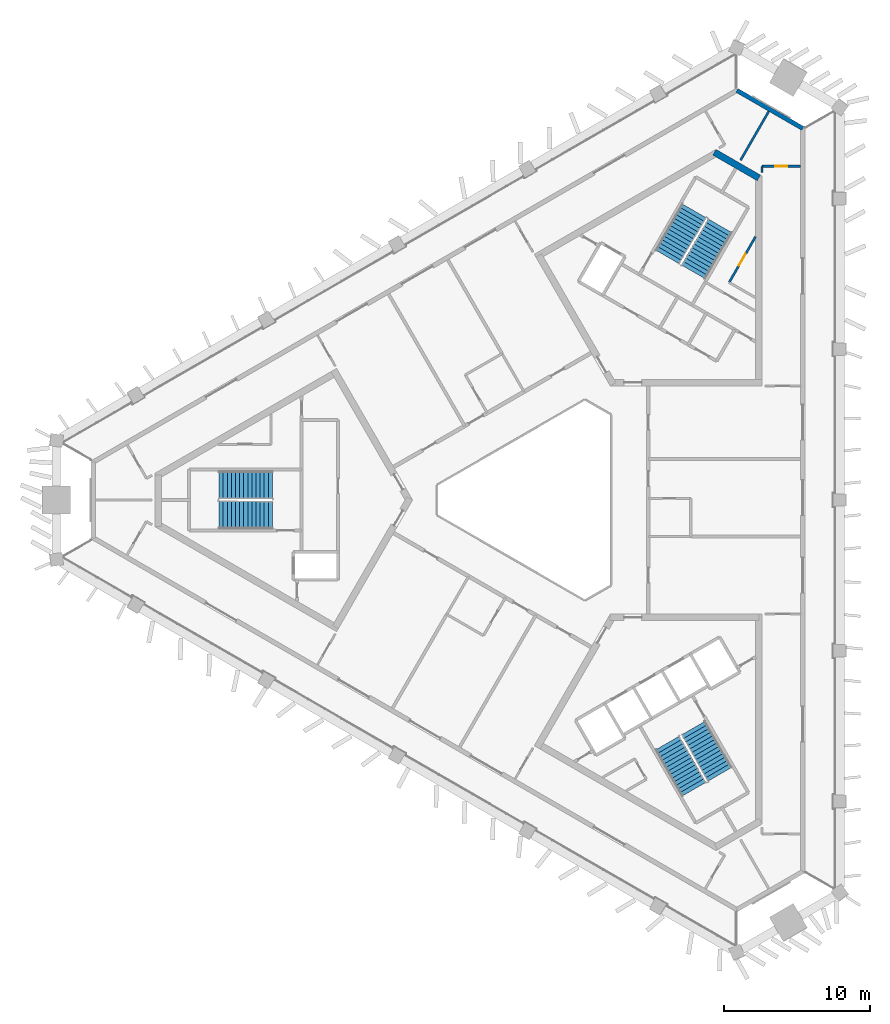
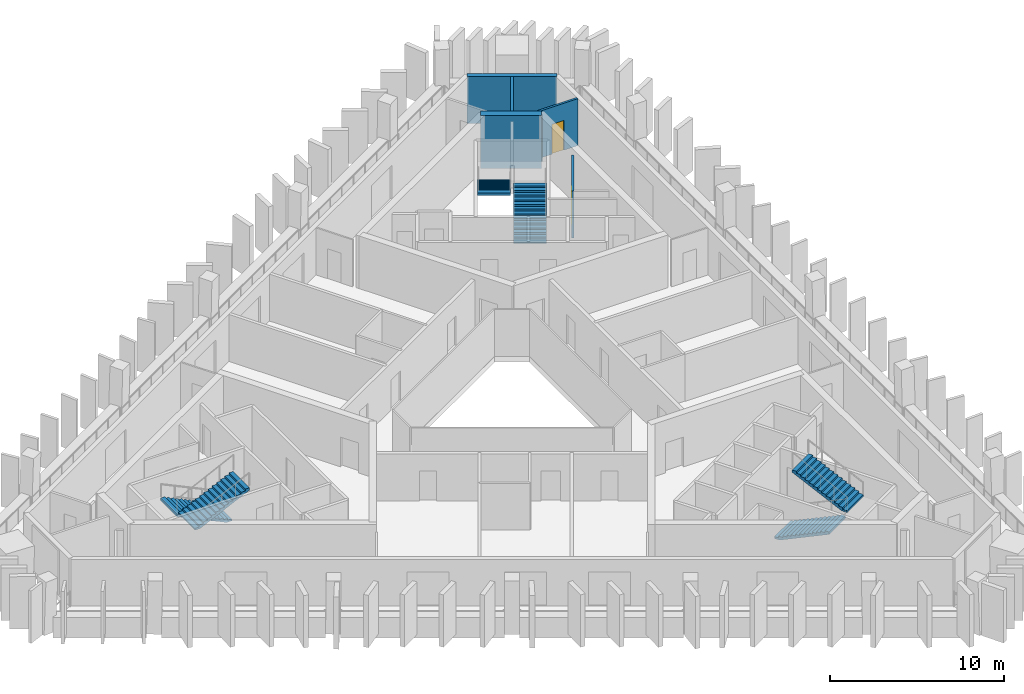
# One storey, part 6 of 9: 6 stair flights, 6 walls, 2 doors, 2 openings, 3 elements without a shape of their own.
"""IFC4 building model written with IfcOpenShell, lengths in metres."""

from ifc_helpers import new_model, si_unit, direction, frame, frame_2d, origin, place, context, subcontext, project, spatial, polyline, rectangle, outline, extrude, material, layer, layer_set, type_object, element, fill, aggregate, save


model = new_model("IFC4")

# Units and contexts
model_context = context("Model", 3, precision=1e-05, world=origin(), true_north=direction((0.0, 1.0)))
body_context = subcontext(model_context, "Body", "Model", "MODEL_VIEW")
ifc_project = project(units=[si_unit("LENGTHUNIT", "METRE"), si_unit("AREAUNIT", "SQUARE_METRE"), si_unit("VOLUMEUNIT", "CUBIC_METRE"), si_unit("PLANEANGLEUNIT", "RADIAN"), si_unit("MASSUNIT", "GRAM", prefix="KILO")], contexts=[model_context])

# Site, building, storey
site_placement = place(None, origin())
site = spatial("IfcSite", under=ifc_project, at=site_placement, CompositionType="ELEMENT")
building_placement = place(site_placement, origin())
building = spatial("IfcBuilding", under=site, at=building_placement, Name="Jabali Bay Hotel Tower and Convention Centre", CompositionType="ELEMENT")
storey_placement = place(building_placement, frame((0.0, 0.0, 220.60009765625)))
storey = spatial("IfcBuildingStorey", under=building, at=storey_placement, Name="L54", CompositionType="ELEMENT", Elevation=220.60009765625)

# Wall, opening, door
ifc_material_1 = material(Name="Fire-rated board partition")
ifc_layer_1 = layer(ifc_material_1, 0.14990234375)
ifc_layer_set_1 = layer_set([ifc_layer_1], Name="Fire-rated board partition")
wall_type_1 = type_object("IfcWallType", Name="Core room partition 150", PredefinedType="PARTITIONING", material=ifc_layer_set_1)
wall_1_placement = place(storey_placement, frame((87.62109375, 94.8603515625, 0.0), z_axis=(0.0, 0.0, 1.0), x_axis=(0.499993116331, 0.866029378036, 0.0)))
wall_1 = element("IfcWall", 1, at=wall_1_placement, inside=storey, type_object=wall_type_1, Name="Core wall 1.1 L54", PredefinedType="PARTITIONING", context=body_context, shape_type="SweptSolid", body=[
    extrude(rectangle(XDim=3.61767578125, YDim=0.14990234375, at=frame_2d((1.808837890625, 0.0))), origin(), (0.0, 0.0, 1.0), 3.2998046875),
])
opening_1_placement = place(wall_1_placement, frame((1.33154296875, 0.0, 0.0)))
opening_1 = element("IfcOpeningElement", 2, at=opening_1_placement, cuts=wall_1, Name="Opening D1180", PredefinedType="OPENING", context=body_context, shape_type="SweptSolid", body=[
    extrude(rectangle(XDim=0.89990234375, YDim=2.10009765625, at=frame_2d((0.449951171875, 1.050048828125))), frame((0.0, 0.08544921875, 0.0), z_axis=(0.0, -1.0, 0.0), x_axis=(1.0, 0.0, 0.0)), (0.0, 0.0, 1.0), 0.1708984375),
])
ifc_material_2 = material(Name="Fire-rated steel door", Category="steel")
door_type_1 = type_object("IfcDoorType", Name="Core room door 900 x 2100", OperationType="NOTDEFINED", PredefinedType="NOTDEFINED", material=ifc_material_2)
door_1_placement = place(opening_1_placement, origin())
door_1 = element("IfcDoor", 3, at=door_1_placement, inside=storey, type_object=door_type_1, Name="Core room door D1180", OperationType="SINGLE_SWING_LEFT", OverallHeight=2.10009765625, OverallWidth=0.89990234375, PredefinedType="NOTDEFINED", context=body_context, shape_type="SweptSolid", body=[
    extrude(rectangle(XDim=0.89990234375, YDim=2.10009765625, at=frame_2d((0.449951171875, 1.050048828125))), frame((0.0, 0.02490234375, 0.0), z_axis=(0.0, -1.0, 0.0), x_axis=(1.0, 0.0, 0.0)), (0.0, 0.0, 1.0), 0.050048828125),
])
fill(opening_1, door_1)

# Walls
ifc_material_3 = material(Name="Concrete C60", Category="concrete")
ifc_layer_2 = layer(ifc_material_3, 0.449951171875)
ifc_layer_set_2 = layer_set([ifc_layer_2], Name="Concrete C60")
wall_type_2 = type_object("IfcWallType", Name="Core wall 450", PredefinedType="SHEAR", material=ifc_layer_set_2)
wall_2_placement = place(storey_placement, frame((89.655029296875, 101.997802734375, 0.0), z_axis=(0.0, 0.0, 1.0), x_axis=(-0.866042179588, 0.49997094233, 0.0)))
element("IfcWall", 4, at=wall_2_placement, inside=storey, type_object=wall_type_2, Name="Core wall 2.3 L54", PredefinedType="SHEAR", context=body_context, shape_type="SweptSolid", body=[
    extrude(rectangle(XDim=3.515380859375, YDim=0.449951171875, at=frame_2d((1.7578125, 0.0))), origin(), (0.0, 0.0, 1.0), 3.699951171875),
])
ifc_material_4 = material(Name="Concrete C40", Category="concrete")
ifc_layer_3 = layer(ifc_material_4, 0.300048828125)
ifc_layer_set_3 = layer_set([ifc_layer_3], Name="Concrete C40")
wall_type_3 = type_object("IfcWallType", Name="External wall 300", PredefinedType="SOLIDWALL", material=ifc_layer_set_3)
wall_3_placement = place(storey_placement, frame((88.154541015625, 107.9775390625, 0.0), z_axis=(0.0, 0.0, 1.0), x_axis=(0.866044673852, -0.499966621779, 0.0)))
element("IfcWall", 5, at=wall_3_placement, inside=storey, type_object=wall_type_3, Name="External wall north-east chamfer L54", PredefinedType="SOLIDWALL", context=body_context, shape_type="SweptSolid", body=[
    extrude(rectangle(XDim=5.193115234375, YDim=0.300048828125, at=frame_2d((2.5966796875, 0.0))), origin(), (0.0, 0.0, 1.0), 3.2998046875),
])

# Wall, opening, door
ifc_material_5 = material(Name="Plasterboard on steel stud", Category="steel")
ifc_layer_4 = layer(ifc_material_5, 0.14990234375)
ifc_layer_set_4 = layer_set([ifc_layer_4], Name="Plasterboard on steel stud")
wall_type_4 = type_object("IfcWallType", Name="Partition 150 wet", PredefinedType="PARTITIONING", material=ifc_layer_set_4)
wall_4_placement = place(storey_placement, frame((92.5029296875, 102.794189453125, 0.0), z_axis=(0.0, 0.0, 1.0), x_axis=(-1.0, 0.0, 0.0)))
wall_4 = element("IfcWall", 6, at=wall_4_placement, inside=storey, type_object=wall_type_4, Name="Partition P03 L54 011", PredefinedType="PARTITIONING", context=body_context, shape_type="SweptSolid", body=[
    extrude(rectangle(XDim=2.641845703125, YDim=0.14990234375, at=frame_2d((1.32080078125, 0.0))), origin(), (0.0, 0.0, 1.0), 3.2998046875),
])
opening_2_placement = place(wall_4_placement, frame((0.9208984375, 0.0, 0.0)))
opening_2 = element("IfcOpeningElement", 7, at=opening_2_placement, cuts=wall_4, Name="Opening 5408", PredefinedType="OPENING", context=body_context, shape_type="SweptSolid", body=[
    extrude(rectangle(XDim=0.800048828125, YDim=2.10009765625, at=frame_2d((0.39990234375, 1.050048828125))), frame((0.0, 0.08544921875, 0.0), z_axis=(0.0, -1.0, 0.0), x_axis=(1.0, 0.0, 0.0)), (0.0, 0.0, 1.0), 0.1708984375),
])
ifc_material_6 = material(Name="Timber", Category="wood")
door_type_2 = type_object("IfcDoorType", Name="En-suite door 800 x 2100", OperationType="NOTDEFINED", PredefinedType="NOTDEFINED", material=ifc_material_6)
door_2_placement = place(opening_2_placement, origin())
door_2 = element("IfcDoor", 8, at=door_2_placement, inside=storey, type_object=door_type_2, Name="Door 5408", OperationType="SINGLE_SWING_LEFT", OverallHeight=2.10009765625, OverallWidth=0.800048828125, PredefinedType="NOTDEFINED", context=body_context, shape_type="SweptSolid", body=[
    extrude(rectangle(XDim=0.800048828125, YDim=2.10009765625, at=frame_2d((0.39990234375, 1.050048828125))), frame((0.0, 0.02490234375, 0.0), z_axis=(0.0, -1.0, 0.0), x_axis=(1.0, 0.0, 0.0)), (0.0, 0.0, 1.0), 0.050048828125),
])
fill(opening_2, door_2)

# Walls
wall_5_placement = place(storey_placement, frame((89.861083984375, 102.794189453125, 0.0), z_axis=(0.0, 0.0, 1.0), x_axis=(0.0, -1.0, 0.0)))
element("IfcWall", 9, at=wall_5_placement, inside=storey, type_object=wall_type_4, Name="Partition P03 L54 012", PredefinedType="PARTITIONING", context=body_context, shape_type="SweptSolid", body=[
    extrude(rectangle(XDim=0.42578125, YDim=0.14990234375, at=frame_2d((0.212890625, 0.0))), origin(), (0.0, 0.0, 1.0), 3.2998046875),
])
wall_6_placement = place(storey_placement, frame((90.32958984375, 106.5498046875, 0.0), z_axis=(0.0, 0.0, 1.0), x_axis=(-0.499980071345, -0.866036909293, 0.0)))
element("IfcWall", 10, at=wall_6_placement, inside=storey, type_object=wall_type_4, Name="Partition P03 L54 013", PredefinedType="PARTITIONING", context=body_context, shape_type="SweptSolid", body=[
    extrude(rectangle(XDim=3.855712890625, YDim=0.14990234375, at=frame_2d((1.927734375, 0.0))), origin(), (0.0, 0.0, 1.0), 3.2998046875),
])

# Stair, stair flights
stair_type = type_object("IfcStairType", Name="Exit stair 1900", PredefinedType="HALF_TURN_STAIR", material=ifc_material_4)
stair_1_placement = place(storey_placement, origin())
stair_1 = element("IfcStair", 11, at=stair_1_placement, inside=storey, type_object=stair_type, Name="L54 Exit Stair 1", PredefinedType="HALF_TURN_STAIR")
stair_flight_type = type_object("IfcStairFlightType", Name="Stair flight concrete 150", PredefinedType="STRAIGHT", material=ifc_material_4)
stair_flight_1_placement = place(storey_placement, frame((56.419921875, 81.02490234375, 0.0), z_axis=(0.0, 0.0, 1.0), x_axis=(-1.0, 0.0, 0.0)))
stair_flight_1 = element("IfcStairFlight", 12, at=stair_flight_1_placement, type_object=stair_flight_type, Name="ST1 flight 1", NumberOfRisers=14, NumberOfTreads=13, PredefinedType="STRAIGHT", RiserHeight=0.132142857, TreadLength=0.28, context=body_context, shape_type="SweptSolid", body=[
    extrude(outline(polyline([(0.0, 0.0), (0.0, 0.132080078125), (0.280029296875, 0.132080078125), (0.280029296875, 0.264404296875), (0.56005859375, 0.264404296875), (0.56005859375, 0.396484375), (0.840087890625, 0.396484375), (0.840087890625, 0.528564453125), (1.1201171875, 0.528564453125), (1.1201171875, 0.66064453125), (1.39990234375, 0.66064453125), (1.39990234375, 0.79296875), (1.679931640625, 0.79296875), (1.679931640625, 0.925048828125), (1.9599609375, 0.925048828125), (1.9599609375, 1.05712890625), (2.239990234375, 1.05712890625), (2.239990234375, 1.189208984375), (2.52001953125, 1.189208984375), (2.52001953125, 1.321533203125), (2.800048828125, 1.321533203125), (2.800048828125, 1.45361328125), (3.080078125, 1.45361328125), (3.080078125, 1.585693359375), (3.360107421875, 1.585693359375), (3.360107421875, 1.7177734375), (3.639892578125, 1.7177734375), (3.639892578125, 1.85009765625), (3.639892578125, 1.552001953125), (0.351318359375, 0.0), (0.0, 0.0)])), frame((0.0, 0.949951171875, 0.0), z_axis=(0.0, -1.0, 0.0), x_axis=(1.0, 0.0, 0.0)), (0.0, 0.0, 1.0), 1.89990234375),
])
stair_flight_2_placement = place(storey_placement, frame((52.780029296875, 78.97509765625, 1.849853515625), z_axis=(0.0, 0.0, 1.0), x_axis=(1.0, 0.0, 0.0)))
stair_flight_2 = element("IfcStairFlight", 13, at=stair_flight_2_placement, type_object=stair_flight_type, Name="ST1 flight 2", NumberOfRisers=14, NumberOfTreads=13, PredefinedType="STRAIGHT", RiserHeight=0.132142857, TreadLength=0.28, context=body_context, shape_type="SweptSolid", body=[
    extrude(outline(polyline([(0.0, 0.0), (0.0, 0.132080078125), (0.280029296875, 0.132080078125), (0.280029296875, 0.264404296875), (0.56005859375, 0.264404296875), (0.56005859375, 0.396484375), (0.840087890625, 0.396484375), (0.840087890625, 0.528564453125), (1.1201171875, 0.528564453125), (1.1201171875, 0.66064453125), (1.39990234375, 0.66064453125), (1.39990234375, 0.79296875), (1.679931640625, 0.79296875), (1.679931640625, 0.925048828125), (1.9599609375, 0.925048828125), (1.9599609375, 1.05712890625), (2.239990234375, 1.05712890625), (2.239990234375, 1.189208984375), (2.52001953125, 1.189208984375), (2.52001953125, 1.321533203125), (2.800048828125, 1.321533203125), (2.800048828125, 1.45361328125), (3.080078125, 1.45361328125), (3.080078125, 1.585693359375), (3.360107421875, 1.585693359375), (3.360107421875, 1.7177734375), (3.639892578125, 1.7177734375), (3.639892578125, 1.85009765625), (3.639892578125, 1.552001953125), (0.351318359375, 0.0), (0.0, 0.0)])), frame((0.0, 0.949951171875, 0.0), z_axis=(0.0, -1.0, 0.0), x_axis=(1.0, 0.0, 0.0)), (0.0, 0.0, 1.0), 1.89990234375),
])
aggregate(stair_1, [stair_flight_1, stair_flight_2])

stair_2_placement = place(storey_placement, origin())
stair_2 = element("IfcStair", 14, at=stair_2_placement, inside=storey, type_object=stair_type, Name="L54 Exit Stair 2", PredefinedType="HALF_TURN_STAIR")
stair_flight_3_placement = place(storey_placement, frame((85.177734375, 95.578369140625, 0.0), z_axis=(0.0, 0.0, 1.0), x_axis=(0.5, 0.866025403784, 0.0)))
stair_flight_3 = element("IfcStairFlight", 15, at=stair_flight_3_placement, type_object=stair_flight_type, Name="ST2 flight 1", NumberOfRisers=14, NumberOfTreads=13, PredefinedType="STRAIGHT", RiserHeight=0.132142857, TreadLength=0.28, context=body_context, shape_type="SweptSolid", body=[
    extrude(outline(polyline([(0.0, 0.0), (0.0, 0.132080078125), (0.280029296875, 0.132080078125), (0.280029296875, 0.264404296875), (0.56005859375, 0.264404296875), (0.56005859375, 0.396484375), (0.840087890625, 0.396484375), (0.840087890625, 0.528564453125), (1.1201171875, 0.528564453125), (1.1201171875, 0.66064453125), (1.39990234375, 0.66064453125), (1.39990234375, 0.79296875), (1.679931640625, 0.79296875), (1.679931640625, 0.925048828125), (1.9599609375, 0.925048828125), (1.9599609375, 1.05712890625), (2.239990234375, 1.05712890625), (2.239990234375, 1.189208984375), (2.52001953125, 1.189208984375), (2.52001953125, 1.321533203125), (2.800048828125, 1.321533203125), (2.800048828125, 1.45361328125), (3.080078125, 1.45361328125), (3.080078125, 1.585693359375), (3.360107421875, 1.585693359375), (3.360107421875, 1.7177734375), (3.639892578125, 1.7177734375), (3.639892578125, 1.85009765625), (3.639892578125, 1.552001953125), (0.351318359375, 0.0), (0.0, 0.0)])), frame((0.0, 0.949951171875, 0.0), z_axis=(0.0, -1.0, 0.0), x_axis=(1.0, 0.0, 0.0)), (0.0, 0.0, 1.0), 1.89990234375),
])
stair_flight_4_placement = place(storey_placement, frame((85.222412109375, 99.755615234375, 1.849853515625), z_axis=(0.0, 0.0, 1.0), x_axis=(-0.5, -0.866025403784, 0.0)))
stair_flight_4 = element("IfcStairFlight", 16, at=stair_flight_4_placement, type_object=stair_flight_type, Name="ST2 flight 2", NumberOfRisers=14, NumberOfTreads=13, PredefinedType="STRAIGHT", RiserHeight=0.132142857, TreadLength=0.28, context=body_context, shape_type="SweptSolid", body=[
    extrude(outline(polyline([(0.0, 0.0), (0.0, 0.132080078125), (0.280029296875, 0.132080078125), (0.280029296875, 0.264404296875), (0.56005859375, 0.264404296875), (0.56005859375, 0.396484375), (0.840087890625, 0.396484375), (0.840087890625, 0.528564453125), (1.1201171875, 0.528564453125), (1.1201171875, 0.66064453125), (1.39990234375, 0.66064453125), (1.39990234375, 0.79296875), (1.679931640625, 0.79296875), (1.679931640625, 0.925048828125), (1.9599609375, 0.925048828125), (1.9599609375, 1.05712890625), (2.239990234375, 1.05712890625), (2.239990234375, 1.189208984375), (2.52001953125, 1.189208984375), (2.52001953125, 1.321533203125), (2.800048828125, 1.321533203125), (2.800048828125, 1.45361328125), (3.080078125, 1.45361328125), (3.080078125, 1.585693359375), (3.360107421875, 1.585693359375), (3.360107421875, 1.7177734375), (3.639892578125, 1.7177734375), (3.639892578125, 1.85009765625), (3.639892578125, 1.552001953125), (0.351318359375, 0.0), (0.0, 0.0)])), frame((0.0, 0.949951171875, 0.0), z_axis=(0.0, -1.0, 0.0), x_axis=(1.0, 0.0, 0.0)), (0.0, 0.0, 1.0), 1.89990234375),
])
aggregate(stair_2, [stair_flight_3, stair_flight_4])

stair_3_placement = place(storey_placement, origin())
stair_3 = element("IfcStair", 17, at=stair_3_placement, inside=storey, type_object=stair_type, Name="L54 Exit Stair 3", PredefinedType="HALF_TURN_STAIR")
stair_flight_5_placement = place(storey_placement, frame((83.40234375, 63.396728515625, 0.0), z_axis=(0.0, 0.0, 1.0), x_axis=(0.5, -0.866025403784, 0.0)))
stair_flight_5 = element("IfcStairFlight", 18, at=stair_flight_5_placement, type_object=stair_flight_type, Name="ST3 flight 1", NumberOfRisers=14, NumberOfTreads=13, PredefinedType="STRAIGHT", RiserHeight=0.132142857, TreadLength=0.28, context=body_context, shape_type="SweptSolid", body=[
    extrude(outline(polyline([(0.0, 0.0), (0.0, 0.132080078125), (0.280029296875, 0.132080078125), (0.280029296875, 0.264404296875), (0.56005859375, 0.264404296875), (0.56005859375, 0.396484375), (0.840087890625, 0.396484375), (0.840087890625, 0.528564453125), (1.1201171875, 0.528564453125), (1.1201171875, 0.66064453125), (1.39990234375, 0.66064453125), (1.39990234375, 0.79296875), (1.679931640625, 0.79296875), (1.679931640625, 0.925048828125), (1.9599609375, 0.925048828125), (1.9599609375, 1.05712890625), (2.239990234375, 1.05712890625), (2.239990234375, 1.189208984375), (2.52001953125, 1.189208984375), (2.52001953125, 1.321533203125), (2.800048828125, 1.321533203125), (2.800048828125, 1.45361328125), (3.080078125, 1.45361328125), (3.080078125, 1.585693359375), (3.360107421875, 1.585693359375), (3.360107421875, 1.7177734375), (3.639892578125, 1.7177734375), (3.639892578125, 1.85009765625), (3.639892578125, 1.552001953125), (0.351318359375, 0.0), (0.0, 0.0)])), frame((0.0, 0.949951171875, 0.0), z_axis=(0.0, -1.0, 0.0), x_axis=(1.0, 0.0, 0.0)), (0.0, 0.0, 1.0), 1.89990234375),
])
stair_flight_6_placement = place(storey_placement, frame((86.99755859375, 61.26953125, 1.849853515625), z_axis=(0.0, 0.0, 1.0), x_axis=(-0.5, 0.866025403784, 0.0)))
stair_flight_6 = element("IfcStairFlight", 19, at=stair_flight_6_placement, type_object=stair_flight_type, Name="ST3 flight 2", NumberOfRisers=14, NumberOfTreads=13, PredefinedType="STRAIGHT", RiserHeight=0.132142857, TreadLength=0.28, context=body_context, shape_type="SweptSolid", body=[
    extrude(outline(polyline([(0.0, 0.0), (0.0, 0.132080078125), (0.280029296875, 0.132080078125), (0.280029296875, 0.264404296875), (0.56005859375, 0.264404296875), (0.56005859375, 0.396484375), (0.840087890625, 0.396484375), (0.840087890625, 0.528564453125), (1.1201171875, 0.528564453125), (1.1201171875, 0.66064453125), (1.39990234375, 0.66064453125), (1.39990234375, 0.79296875), (1.679931640625, 0.79296875), (1.679931640625, 0.925048828125), (1.9599609375, 0.925048828125), (1.9599609375, 1.05712890625), (2.239990234375, 1.05712890625), (2.239990234375, 1.189208984375), (2.52001953125, 1.189208984375), (2.52001953125, 1.321533203125), (2.800048828125, 1.321533203125), (2.800048828125, 1.45361328125), (3.080078125, 1.45361328125), (3.080078125, 1.585693359375), (3.360107421875, 1.585693359375), (3.360107421875, 1.7177734375), (3.639892578125, 1.7177734375), (3.639892578125, 1.85009765625), (3.639892578125, 1.552001953125), (0.351318359375, 0.0), (0.0, 0.0)])), frame((0.0, 0.949951171875, 0.0), z_axis=(0.0, -1.0, 0.0), x_axis=(1.0, 0.0, 0.0)), (0.0, 0.0, 1.0), 1.89990234375),
])
aggregate(stair_3, [stair_flight_5, stair_flight_6])

save(model, "model.ifc")
